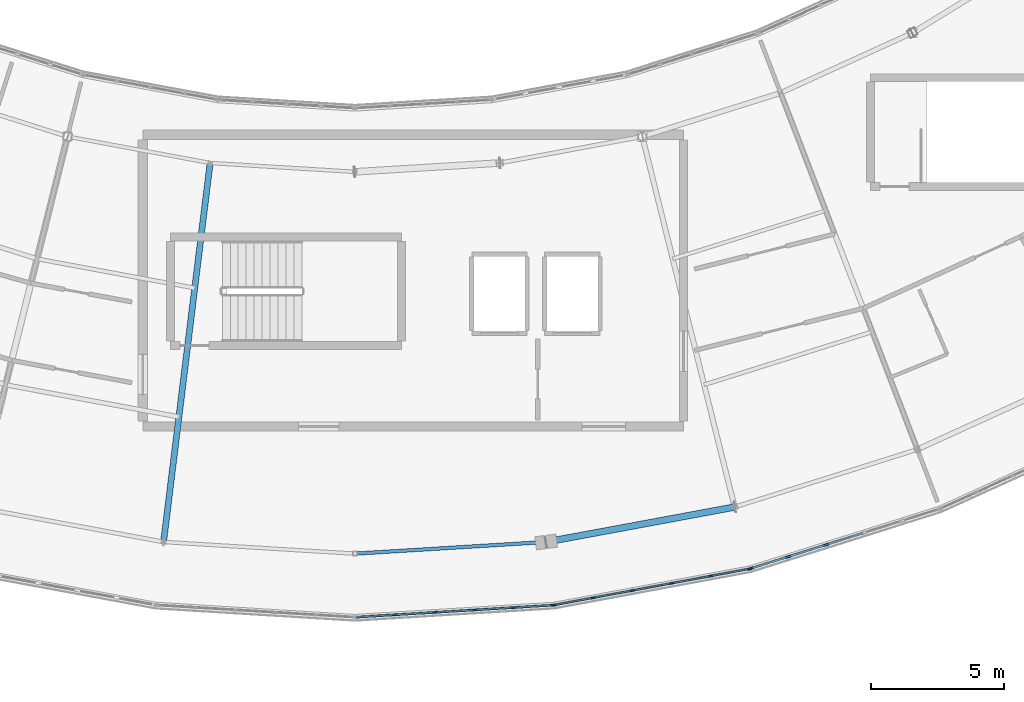
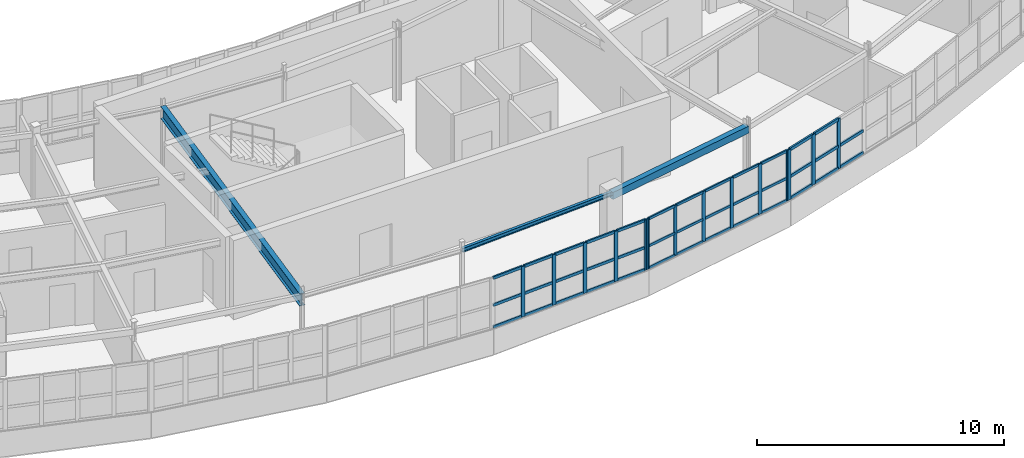
# One storey, part 24 of 79: 52 members, 3 beams, 3 elements without a shape of their own.
"""IFC4 building model written with IfcOpenShell, lengths in metres."""

from ifc_helpers import new_model, si_unit, direction, frame, origin, origin_2d, place, context, subcontext, project, spatial, rectangle, hollow_rectangle, i_section, extrude, material, layer, layer_set, material_profile, profile_set, type_object, element, aggregate, save


model = new_model("IFC4")

# Units and contexts
model_context = context("Model", 3, precision=1e-05, world=origin(), true_north=direction((0.0, 1.0)))
body_context = subcontext(model_context, "Body", "Model", "MODEL_VIEW")
ifc_project = project(units=[si_unit("LENGTHUNIT", "METRE"), si_unit("AREAUNIT", "SQUARE_METRE"), si_unit("VOLUMEUNIT", "CUBIC_METRE"), si_unit("PLANEANGLEUNIT", "RADIAN"), si_unit("MASSUNIT", "GRAM", prefix="KILO")], contexts=[model_context])

# Site, building, storey
site_placement = place(None, origin())
site = spatial("IfcSite", under=ifc_project, at=site_placement, CompositionType="ELEMENT")
building_placement = place(site_placement, origin())
building = spatial("IfcBuilding", under=site, at=building_placement, Name="Tarnwether General Hospital", CompositionType="ELEMENT")
storey_placement = place(building_placement, frame((0.0, 0.0, 18.300048828125)))
storey = spatial("IfcBuildingStorey", under=building, at=storey_placement, Name="L04", CompositionType="ELEMENT", Elevation=18.300048828125)

# Beams
ifc_material_1 = material(Name="Steel Grade 350 (350 MPa)", Category="steel")
ifc_material_profile_1 = material_profile(ifc_material_1, i_section(OverallWidth=0.22802734375, OverallDepth=0.60205078125, WebThickness=0.010498046875, FlangeThickness=0.014892578125, at=origin_2d()), Name="610UB101")
ifc_profile_set_1 = profile_set([ifc_material_profile_1], Name="Steel Grade 350 (350 MPa)")
beam_type_1 = type_object("IfcBeamType", Name="BM-G05", PredefinedType="BEAM", material=ifc_profile_set_1)
beam_1_placement = place(storey_placement, frame((84.784912109375, 4.240966796875, 3.259033203125), z_axis=(0.121881045946, 0.99254471468, 0.0), x_axis=(-0.99254471468, 0.121881045946, 0.0)))
element("IfcBeam", 1, at=beam_1_placement, inside=storey, type_object=beam_type_1, Name="Curved Ward SE Radial Girder BMG-L04-8478_424-8654_1853-2134", PredefinedType="BEAM", context=body_context, shape_type="SweptSolid", body=[
    extrude(i_section(OverallWidth=0.22802734375, OverallDepth=0.60205078125, WebThickness=0.010498046875, FlangeThickness=0.014892578125, at=origin_2d()), origin(), (0.0, 0.0, 1.0), 14.400390625),
])
ifc_material_2 = material(Name="Steel Grade 350 (350 MPa)", Category="steel")
ifc_material_profile_2 = material_profile(ifc_material_2, i_section(OverallWidth=0.133056640625, OverallDepth=0.201904296875, WebThickness=0.0048828125, FlangeThickness=0.007080078125, at=origin_2d()), Name="200UB22.3")
ifc_profile_set_2 = profile_set([ifc_material_profile_2], Name="Steel Grade 350 (350 MPa)")
beam_type_2 = type_object("IfcBeamType", Name="BM-SP6", PredefinedType="SPANDREL", material=ifc_profile_set_2)
beam_2_placement = place(storey_placement, frame((92.0, 3.800048828125, 3.458984375), z_axis=(0.998137964221, 0.060996757127, 0.0), x_axis=(-0.060996757127, 0.998137964221, 0.0)))
element("IfcBeam", 2, at=beam_2_placement, inside=storey, type_object=beam_type_2, Name="Curved Ward SE Outer Spandrel BMG-L04-9200_380-9922_424-2152", PredefinedType="SPANDREL", context=body_context, shape_type="SweptSolid", body=[
    extrude(i_section(OverallWidth=0.133056640625, OverallDepth=0.201904296875, WebThickness=0.0048828125, FlangeThickness=0.007080078125, at=origin_2d()), origin(), (0.0, 0.0, 1.0), 7.228515625),
])
ifc_material_3 = material(Name="Steel Grade C350L0 (350 MPa)", Category="steel")
ifc_material_profile_3 = material_profile(ifc_material_3, hollow_rectangle(XDim=0.25, YDim=0.35009765625, WallThickness=0.012451171875, at=origin_2d()), Name="RHS350x250x12.5")
ifc_profile_set_3 = profile_set([ifc_material_profile_3], Name="Steel Grade C350L0 (350 MPa)")
beam_type_3 = type_object("IfcBeamType", Name="BM-SP7", PredefinedType="SPANDREL", material=ifc_profile_set_3)
beam_3_placement = place(storey_placement, frame((99.215087890625, 4.240966796875, 3.385009765625), z_axis=(0.98325623662, 0.182228354399, 0.0), x_axis=(-0.182228354399, 0.98325623662, 0.0)))
element("IfcBeam", 3, at=beam_3_placement, inside=storey, type_object=beam_type_3, Name="Curved Ward SE Outer Spandrel BMG-L04-9922_424-10632_556-2154", PredefinedType="SPANDREL", context=body_context, shape_type="SweptSolid", body=[
    extrude(hollow_rectangle(XDim=0.25, YDim=0.35009765625, WallThickness=0.012451171875, at=origin_2d()), origin(), (0.0, 0.0, 1.0), 7.22802734375),
])

# Curtain wall, members
ifc_material_4 = material(Name="Anodised aluminium", Category="aluminium")
ifc_layer = layer(ifc_material_4, 0.159912109375)
ifc_layer_set = layer_set([ifc_layer], Name="Anodised aluminium")
curtain_wall_type = type_object("IfcCurtainWallType", Name="CW-09", PredefinedType="NOTDEFINED", material=ifc_layer_set)
curtain_wall_1_placement = place(storey_placement, origin())
curtain_wall_1 = element("IfcCurtainWall", 4, at=curtain_wall_1_placement, inside=storey, type_object=curtain_wall_type, Name="Curtain Wall CWG-L04-995_19-0191", PredefinedType="NOTDEFINED")
ifc_material_5 = material(Name="Anodised aluminium", Category="aluminium")
ifc_material_profile_4 = material_profile(ifc_material_5, rectangle(XDim=0.070068359375, YDim=0.179931640625, at=origin_2d()), Name="ALU-MUL-70x180")
ifc_profile_set_4 = profile_set([ifc_material_profile_4], Name="Anodised aluminium")
member_type_1 = type_object("IfcMemberType", Name="CW-ML2", PredefinedType="MULLION", material=ifc_profile_set_4)
member_1_placement = place(storey_placement, frame((99.47216796875, 1.85693359375, 1.050048828125), z_axis=(0.0, 0.0, 1.0), x_axis=(0.061028962567, -0.998135995608, 0.0)))
member_1 = element("IfcMember", 5, at=member_1_placement, type_object=member_type_1, Name="CW-09 mullion 1", PredefinedType="MULLION", context=body_context, shape_type="SweptSolid", body=[
    extrude(rectangle(XDim=0.070068359375, YDim=0.179931640625, at=origin_2d()), origin(), (0.0, 0.0, 1.0), 2.489990234375),
])
member_2_placement = place(storey_placement, frame((98.005615234375, 1.76708984375, 1.050048828125), z_axis=(0.0, 0.0, 1.0), x_axis=(0.061028962567, -0.998135995608, 0.0)))
member_2 = element("IfcMember", 6, at=member_2_placement, type_object=member_type_1, Name="CW-09 mullion 2", PredefinedType="MULLION", context=body_context, shape_type="SweptSolid", body=[
    extrude(rectangle(XDim=0.070068359375, YDim=0.179931640625, at=origin_2d()), origin(), (0.0, 0.0, 1.0), 2.489990234375),
])
member_3_placement = place(storey_placement, frame((96.504150390625, 1.67529296875, 1.050048828125), z_axis=(0.0, 0.0, 1.0), x_axis=(0.061028962567, -0.998135995608, 0.0)))
member_3 = element("IfcMember", 7, at=member_3_placement, type_object=member_type_1, Name="CW-09 mullion 3", PredefinedType="MULLION", context=body_context, shape_type="SweptSolid", body=[
    extrude(rectangle(XDim=0.070068359375, YDim=0.179931640625, at=origin_2d()), origin(), (0.0, 0.0, 1.0), 2.489990234375),
])
member_4_placement = place(storey_placement, frame((95.002685546875, 1.58349609375, 1.050048828125), z_axis=(0.0, 0.0, 1.0), x_axis=(0.061028962567, -0.998135995608, 0.0)))
member_4 = element("IfcMember", 8, at=member_4_placement, type_object=member_type_1, Name="CW-09 mullion 4", PredefinedType="MULLION", context=body_context, shape_type="SweptSolid", body=[
    extrude(rectangle(XDim=0.070068359375, YDim=0.179931640625, at=origin_2d()), origin(), (0.0, 0.0, 1.0), 2.489990234375),
])
member_5_placement = place(storey_placement, frame((93.50146484375, 1.49169921875, 1.050048828125), z_axis=(0.0, 0.0, 1.0), x_axis=(0.061028962567, -0.998135995608, 0.0)))
member_5 = element("IfcMember", 9, at=member_5_placement, type_object=member_type_1, Name="CW-09 mullion 5", PredefinedType="MULLION", context=body_context, shape_type="SweptSolid", body=[
    extrude(rectangle(XDim=0.070068359375, YDim=0.179931640625, at=origin_2d()), origin(), (0.0, 0.0, 1.0), 2.489990234375),
])

curtain_wall_2_placement = place(storey_placement, origin())
curtain_wall_2 = element("IfcCurtainWall", 10, at=curtain_wall_2_placement, inside=storey, type_object=curtain_wall_type, Name="Curtain Wall CWG-L04-1069_32-0192", PredefinedType="NOTDEFINED")
ifc_material_6 = material(Name="Anodised aluminium", Category="aluminium")
ifc_material_profile_5 = material_profile(ifc_material_6, rectangle(XDim=0.06494140625, YDim=0.169921875, at=origin_2d()), Name="ALU-MUL-65x170")
ifc_profile_set_5 = profile_set([ifc_material_profile_5], Name="Anodised aluminium")
member_type_2 = type_object("IfcMemberType", Name="CW-ML3", PredefinedType="MULLION", material=ifc_profile_set_5)
member_6_placement = place(storey_placement, frame((106.8701171875, 3.22412109375, 1.050048828125), z_axis=(0.0, 0.0, 1.0), x_axis=(0.182289226614, -0.983244953132, 0.0)))
member_6 = element("IfcMember", 11, at=member_6_placement, type_object=member_type_2, Name="CW-09 mullion 1", PredefinedType="MULLION", context=body_context, shape_type="SweptSolid", body=[
    extrude(rectangle(XDim=0.06494140625, YDim=0.169921875, at=origin_2d()), origin(), (0.0, 0.0, 1.0), 2.489990234375),
])
member_7_placement = place(storey_placement, frame((105.423095703125, 2.955810546875, 1.050048828125), z_axis=(0.0, 0.0, 1.0), x_axis=(0.182289226614, -0.983244953132, 0.0)))
member_7 = element("IfcMember", 12, at=member_7_placement, type_object=member_type_2, Name="CW-09 mullion 2", PredefinedType="MULLION", context=body_context, shape_type="SweptSolid", body=[
    extrude(rectangle(XDim=0.06494140625, YDim=0.169921875, at=origin_2d()), origin(), (0.0, 0.0, 1.0), 2.489990234375),
])
member_8_placement = place(storey_placement, frame((103.944091796875, 2.681640625, 1.050048828125), z_axis=(0.0, 0.0, 1.0), x_axis=(0.182289226614, -0.983244953132, 0.0)))
member_8 = element("IfcMember", 13, at=member_8_placement, type_object=member_type_2, Name="CW-09 mullion 3", PredefinedType="MULLION", context=body_context, shape_type="SweptSolid", body=[
    extrude(rectangle(XDim=0.06494140625, YDim=0.169921875, at=origin_2d()), origin(), (0.0, 0.0, 1.0), 2.489990234375),
])
member_9_placement = place(storey_placement, frame((102.465087890625, 2.407470703125, 1.050048828125), z_axis=(0.0, 0.0, 1.0), x_axis=(0.182289226614, -0.983244953132, 0.0)))
member_9 = element("IfcMember", 14, at=member_9_placement, type_object=member_type_2, Name="CW-09 mullion 4", PredefinedType="MULLION", context=body_context, shape_type="SweptSolid", body=[
    extrude(rectangle(XDim=0.06494140625, YDim=0.169921875, at=origin_2d()), origin(), (0.0, 0.0, 1.0), 2.489990234375),
])
member_10_placement = place(storey_placement, frame((100.986083984375, 2.13330078125, 1.050048828125), z_axis=(0.0, 0.0, 1.0), x_axis=(0.182289226614, -0.983244953132, 0.0)))
member_10 = element("IfcMember", 15, at=member_10_placement, type_object=member_type_2, Name="CW-09 mullion 5", PredefinedType="MULLION", context=body_context, shape_type="SweptSolid", body=[
    extrude(rectangle(XDim=0.06494140625, YDim=0.169921875, at=origin_2d()), origin(), (0.0, 0.0, 1.0), 2.489990234375),
])
member_11_placement = place(storey_placement, frame((99.5390625, 1.864990234375, 1.050048828125), z_axis=(0.0, 0.0, 1.0), x_axis=(0.182289226614, -0.983244953132, 0.0)))
member_11 = element("IfcMember", 16, at=member_11_placement, type_object=member_type_2, Name="CW-09 mullion 6", PredefinedType="MULLION", context=body_context, shape_type="SweptSolid", body=[
    extrude(rectangle(XDim=0.06494140625, YDim=0.169921875, at=origin_2d()), origin(), (0.0, 0.0, 1.0), 2.489990234375),
])

curtain_wall_3_placement = place(storey_placement, origin())
curtain_wall_3 = element("IfcCurtainWall", 17, at=curtain_wall_3_placement, inside=storey, type_object=curtain_wall_type, Name="Curtain Wall CWG-L04-1141_55-0193", PredefinedType="NOTDEFINED")
ifc_material_7 = material(Name="Anodised aluminium", Category="aluminium")
ifc_material_profile_6 = material_profile(ifc_material_7, rectangle(XDim=0.080078125, YDim=0.199951171875, at=origin_2d()), Name="ALU-MUL-80x200")
ifc_profile_set_6 = profile_set([ifc_material_profile_6], Name="Anodised aluminium")
member_type_3 = type_object("IfcMemberType", Name="CW-ML4", PredefinedType="MULLION", material=ifc_profile_set_6)
member_12_placement = place(storey_placement, frame((109.771240234375, 4.134521484375, 1.050048828125), z_axis=(0.0, 0.0, 1.0), x_axis=(0.300628613299, -0.953741284032, 0.0)))
member_12 = element("IfcMember", 18, at=member_12_placement, type_object=member_type_3, Name="CW-09 mullion 4", PredefinedType="MULLION", context=body_context, shape_type="SweptSolid", body=[
    extrude(rectangle(XDim=0.080078125, YDim=0.199951171875, at=origin_2d()), origin(), (0.0, 0.0, 1.0), 2.489990234375),
])
member_13_placement = place(storey_placement, frame((108.336669921875, 3.68212890625, 1.050048828125), z_axis=(0.0, 0.0, 1.0), x_axis=(0.300628613299, -0.953741284032, 0.0)))
member_13 = element("IfcMember", 19, at=member_13_placement, type_object=member_type_3, Name="CW-09 mullion 5", PredefinedType="MULLION", context=body_context, shape_type="SweptSolid", body=[
    extrude(rectangle(XDim=0.080078125, YDim=0.199951171875, at=origin_2d()), origin(), (0.0, 0.0, 1.0), 2.489990234375),
])
member_14_placement = place(storey_placement, frame((106.940185546875, 3.241943359375, 1.050048828125), z_axis=(0.0, 0.0, 1.0), x_axis=(0.300628613299, -0.953741284032, 0.0)))
member_14 = element("IfcMember", 20, at=member_14_placement, type_object=member_type_3, Name="CW-09 mullion 6", PredefinedType="MULLION", context=body_context, shape_type="SweptSolid", body=[
    extrude(rectangle(XDim=0.080078125, YDim=0.199951171875, at=origin_2d()), origin(), (0.0, 0.0, 1.0), 2.489990234375),
])

# Member
ifc_material_8 = material(Name="Anodised aluminium", Category="aluminium")
ifc_material_profile_7 = material_profile(ifc_material_8, rectangle(XDim=0.070068359375, YDim=0.139892578125, at=origin_2d()), Name="ALU-TRN-70x140")
ifc_profile_set_7 = profile_set([ifc_material_profile_7], Name="Anodised aluminium")
member_type_4 = type_object("IfcMemberType", Name="CW-TR2", PredefinedType="USERDEFINED", material=ifc_profile_set_7)
member_15_placement = place(storey_placement, frame((99.43701171875, 1.854736328125, 1.0849609375), z_axis=(-0.998133205119, -0.061074584229, 0.0), x_axis=(0.061074584229, -0.998133205119, 0.0)))
member_15 = element("IfcMember", 21, at=member_15_placement, type_object=member_type_4, Name="CW-09 transom 1.1", ObjectType="TRANSOM", PredefinedType="USERDEFINED", context=body_context, shape_type="SweptSolid", body=[
    extrude(rectangle(XDim=0.070068359375, YDim=0.139892578125, at=origin_2d()), origin(), (0.0, 0.0, 1.0), 1.399169921875),
])

member_16_placement = place(storey_placement, frame((99.43701171875, 1.854736328125, 2.17041015625), z_axis=(-0.998133205119, -0.061074584229, 0.0), x_axis=(0.061074584229, -0.998133205119, 0.0)))
member_16 = element("IfcMember", 22, at=member_16_placement, type_object=member_type_4, Name="CW-09 transom 1.2", ObjectType="TRANSOM", PredefinedType="USERDEFINED", context=body_context, shape_type="SweptSolid", body=[
    extrude(rectangle(XDim=0.070068359375, YDim=0.139892578125, at=origin_2d()), origin(), (0.0, 0.0, 1.0), 1.399169921875),
])

member_17_placement = place(storey_placement, frame((99.43701171875, 1.854736328125, 3.5048828125), z_axis=(-0.998133205119, -0.061074584229, 0.0), x_axis=(0.061074584229, -0.998133205119, 0.0)))
member_17 = element("IfcMember", 23, at=member_17_placement, type_object=member_type_4, Name="CW-09 transom 1.3", ObjectType="TRANSOM", PredefinedType="USERDEFINED", context=body_context, shape_type="SweptSolid", body=[
    extrude(rectangle(XDim=0.070068359375, YDim=0.139892578125, at=origin_2d()), origin(), (0.0, 0.0, 1.0), 1.399169921875),
])

member_18_placement = place(storey_placement, frame((97.970703125, 1.76513671875, 1.0849609375), z_axis=(-0.998131245443, -0.061106602509, 0.0), x_axis=(0.061106602509, -0.998131245443, 0.0)))
member_18 = element("IfcMember", 24, at=member_18_placement, type_object=member_type_4, Name="CW-09 transom 2.1", ObjectType="TRANSOM", PredefinedType="USERDEFINED", context=body_context, shape_type="SweptSolid", body=[
    extrude(rectangle(XDim=0.070068359375, YDim=0.139892578125, at=origin_2d()), origin(), (0.0, 0.0, 1.0), 1.434326171875),
])

member_19_placement = place(storey_placement, frame((97.970703125, 1.76513671875, 2.17041015625), z_axis=(-0.998131245443, -0.061106602509, 0.0), x_axis=(0.061106602509, -0.998131245443, 0.0)))
member_19 = element("IfcMember", 25, at=member_19_placement, type_object=member_type_4, Name="CW-09 transom 2.2", ObjectType="TRANSOM", PredefinedType="USERDEFINED", context=body_context, shape_type="SweptSolid", body=[
    extrude(rectangle(XDim=0.070068359375, YDim=0.139892578125, at=origin_2d()), origin(), (0.0, 0.0, 1.0), 1.434326171875),
])

member_20_placement = place(storey_placement, frame((97.970703125, 1.76513671875, 3.5048828125), z_axis=(-0.998131245443, -0.061106602509, 0.0), x_axis=(0.061106602509, -0.998131245443, 0.0)))
member_20 = element("IfcMember", 26, at=member_20_placement, type_object=member_type_4, Name="CW-09 transom 2.3", ObjectType="TRANSOM", PredefinedType="USERDEFINED", context=body_context, shape_type="SweptSolid", body=[
    extrude(rectangle(XDim=0.070068359375, YDim=0.139892578125, at=origin_2d()), origin(), (0.0, 0.0, 1.0), 1.434326171875),
])

member_21_placement = place(storey_placement, frame((96.46923828125, 1.67333984375, 1.0849609375), z_axis=(-0.998130609701, -0.061116985994, 0.0), x_axis=(0.061116985994, -0.998130609701, 0.0)))
member_21 = element("IfcMember", 27, at=member_21_placement, type_object=member_type_4, Name="CW-09 transom 3.1", ObjectType="TRANSOM", PredefinedType="USERDEFINED", context=body_context, shape_type="SweptSolid", body=[
    extrude(rectangle(XDim=0.070068359375, YDim=0.139892578125, at=origin_2d()), origin(), (0.0, 0.0, 1.0), 1.43408203125),
])

member_22_placement = place(storey_placement, frame((96.46923828125, 1.67333984375, 2.17041015625), z_axis=(-0.998130609701, -0.061116985994, 0.0), x_axis=(0.061116985994, -0.998130609701, 0.0)))
member_22 = element("IfcMember", 28, at=member_22_placement, type_object=member_type_4, Name="CW-09 transom 3.2", ObjectType="TRANSOM", PredefinedType="USERDEFINED", context=body_context, shape_type="SweptSolid", body=[
    extrude(rectangle(XDim=0.070068359375, YDim=0.139892578125, at=origin_2d()), origin(), (0.0, 0.0, 1.0), 1.43408203125),
])

member_23_placement = place(storey_placement, frame((96.46923828125, 1.67333984375, 3.5048828125), z_axis=(-0.998130609701, -0.061116985994, 0.0), x_axis=(0.061116985994, -0.998130609701, 0.0)))
member_23 = element("IfcMember", 29, at=member_23_placement, type_object=member_type_4, Name="CW-09 transom 3.3", ObjectType="TRANSOM", PredefinedType="USERDEFINED", context=body_context, shape_type="SweptSolid", body=[
    extrude(rectangle(XDim=0.070068359375, YDim=0.139892578125, at=origin_2d()), origin(), (0.0, 0.0, 1.0), 1.43408203125),
])

member_24_placement = place(storey_placement, frame((94.9677734375, 1.58154296875, 1.0849609375), z_axis=(-0.998130609701, -0.061116985994, 0.0), x_axis=(0.061116985994, -0.998130609701, 0.0)))
member_24 = element("IfcMember", 30, at=member_24_placement, type_object=member_type_4, Name="CW-09 transom 4.1", ObjectType="TRANSOM", PredefinedType="USERDEFINED", context=body_context, shape_type="SweptSolid", body=[
    extrude(rectangle(XDim=0.070068359375, YDim=0.139892578125, at=origin_2d()), origin(), (0.0, 0.0, 1.0), 1.43408203125),
])

member_25_placement = place(storey_placement, frame((94.9677734375, 1.58154296875, 2.17041015625), z_axis=(-0.998130609701, -0.061116985994, 0.0), x_axis=(0.061116985994, -0.998130609701, 0.0)))
member_25 = element("IfcMember", 31, at=member_25_placement, type_object=member_type_4, Name="CW-09 transom 4.2", ObjectType="TRANSOM", PredefinedType="USERDEFINED", context=body_context, shape_type="SweptSolid", body=[
    extrude(rectangle(XDim=0.070068359375, YDim=0.139892578125, at=origin_2d()), origin(), (0.0, 0.0, 1.0), 1.43408203125),
])

member_26_placement = place(storey_placement, frame((94.9677734375, 1.58154296875, 3.5048828125), z_axis=(-0.998130609701, -0.061116985994, 0.0), x_axis=(0.061116985994, -0.998130609701, 0.0)))
member_26 = element("IfcMember", 32, at=member_26_placement, type_object=member_type_4, Name="CW-09 transom 4.3", ObjectType="TRANSOM", PredefinedType="USERDEFINED", context=body_context, shape_type="SweptSolid", body=[
    extrude(rectangle(XDim=0.070068359375, YDim=0.139892578125, at=origin_2d()), origin(), (0.0, 0.0, 1.0), 1.43408203125),
])

member_27_placement = place(storey_placement, frame((93.466552734375, 1.48974609375, 1.0849609375), z_axis=(-0.998133855848, -0.061063948531, 0.0), x_axis=(0.061063948531, -0.998133855848, 0.0)))
member_27 = element("IfcMember", 33, at=member_27_placement, type_object=member_type_4, Name="CW-09 transom 5.1", ObjectType="TRANSOM", PredefinedType="USERDEFINED", context=body_context, shape_type="SweptSolid", body=[
    extrude(rectangle(XDim=0.070068359375, YDim=0.139892578125, at=origin_2d()), origin(), (0.0, 0.0, 1.0), 1.3994140625),
])

member_28_placement = place(storey_placement, frame((93.466552734375, 1.48974609375, 2.17041015625), z_axis=(-0.998133855848, -0.061063948531, 0.0), x_axis=(0.061063948531, -0.998133855848, 0.0)))
member_28 = element("IfcMember", 34, at=member_28_placement, type_object=member_type_4, Name="CW-09 transom 5.2", ObjectType="TRANSOM", PredefinedType="USERDEFINED", context=body_context, shape_type="SweptSolid", body=[
    extrude(rectangle(XDim=0.070068359375, YDim=0.139892578125, at=origin_2d()), origin(), (0.0, 0.0, 1.0), 1.3994140625),
])

member_29_placement = place(storey_placement, frame((93.466552734375, 1.48974609375, 3.5048828125), z_axis=(-0.998133855848, -0.061063948531, 0.0), x_axis=(0.061063948531, -0.998133855848, 0.0)))
member_29 = element("IfcMember", 35, at=member_29_placement, type_object=member_type_4, Name="CW-09 transom 5.3", ObjectType="TRANSOM", PredefinedType="USERDEFINED", context=body_context, shape_type="SweptSolid", body=[
    extrude(rectangle(XDim=0.070068359375, YDim=0.139892578125, at=origin_2d()), origin(), (0.0, 0.0, 1.0), 1.3994140625),
])

aggregate(curtain_wall_1, [member_1, member_2, member_3, member_4, member_5, member_15, member_16, member_17, member_18, member_19, member_20, member_21, member_22, member_23, member_24, member_25, member_26, member_27, member_28, member_29])

ifc_material_9 = material(Name="Anodised aluminium", Category="aluminium")
ifc_material_profile_8 = material_profile(ifc_material_9, rectangle(XDim=0.06494140625, YDim=0.1298828125, at=origin_2d()), Name="ALU-TRN-65x130")
ifc_profile_set_8 = profile_set([ifc_material_profile_8], Name="Anodised aluminium")
member_type_5 = type_object("IfcMemberType", Name="CW-TR3", PredefinedType="USERDEFINED", material=ifc_profile_set_8)
member_30_placement = place(storey_placement, frame((106.838134765625, 3.21826171875, 1.08251953125), z_axis=(-0.983227876947, -0.182381309331, 0.0), x_axis=(0.182381309331, -0.983227876947, 0.0)))
member_30 = element("IfcMember", 36, at=member_30_placement, type_object=member_type_5, Name="CW-09 transom 1.1", ObjectType="TRANSOM", PredefinedType="USERDEFINED", context=body_context, shape_type="SweptSolid", body=[
    extrude(rectangle(XDim=0.06494140625, YDim=0.1298828125, at=origin_2d()), origin(), (0.0, 0.0, 1.0), 1.406982421875),
])

member_31_placement = place(storey_placement, frame((106.838134765625, 3.21826171875, 2.17041015625), z_axis=(-0.983227876947, -0.182381309331, 0.0), x_axis=(0.182381309331, -0.983227876947, 0.0)))
member_31 = element("IfcMember", 37, at=member_31_placement, type_object=member_type_5, Name="CW-09 transom 1.2", ObjectType="TRANSOM", PredefinedType="USERDEFINED", context=body_context, shape_type="SweptSolid", body=[
    extrude(rectangle(XDim=0.06494140625, YDim=0.1298828125, at=origin_2d()), origin(), (0.0, 0.0, 1.0), 1.406982421875),
])

member_32_placement = place(storey_placement, frame((106.838134765625, 3.21826171875, 3.507568359375), z_axis=(-0.983227876947, -0.182381309331, 0.0), x_axis=(0.182381309331, -0.983227876947, 0.0)))
member_32 = element("IfcMember", 38, at=member_32_placement, type_object=member_type_5, Name="CW-09 transom 1.3", ObjectType="TRANSOM", PredefinedType="USERDEFINED", context=body_context, shape_type="SweptSolid", body=[
    extrude(rectangle(XDim=0.06494140625, YDim=0.1298828125, at=origin_2d()), origin(), (0.0, 0.0, 1.0), 1.406982421875),
])

member_33_placement = place(storey_placement, frame((105.39111328125, 2.949951171875, 1.08251953125), z_axis=(-0.983231345079, -0.182362611449, 0.0), x_axis=(0.182362611449, -0.983231345079, 0.0)))
member_33 = element("IfcMember", 39, at=member_33_placement, type_object=member_type_5, Name="CW-09 transom 2.1", ObjectType="TRANSOM", PredefinedType="USERDEFINED", context=body_context, shape_type="SweptSolid", body=[
    extrude(rectangle(XDim=0.06494140625, YDim=0.1298828125, at=origin_2d()), origin(), (0.0, 0.0, 1.0), 1.439208984375),
])

member_34_placement = place(storey_placement, frame((105.39111328125, 2.949951171875, 2.17041015625), z_axis=(-0.983231345079, -0.182362611449, 0.0), x_axis=(0.182362611449, -0.983231345079, 0.0)))
member_34 = element("IfcMember", 40, at=member_34_placement, type_object=member_type_5, Name="CW-09 transom 2.2", ObjectType="TRANSOM", PredefinedType="USERDEFINED", context=body_context, shape_type="SweptSolid", body=[
    extrude(rectangle(XDim=0.06494140625, YDim=0.1298828125, at=origin_2d()), origin(), (0.0, 0.0, 1.0), 1.439208984375),
])

member_35_placement = place(storey_placement, frame((105.39111328125, 2.949951171875, 3.507568359375), z_axis=(-0.983231345079, -0.182362611449, 0.0), x_axis=(0.182362611449, -0.983231345079, 0.0)))
member_35 = element("IfcMember", 41, at=member_35_placement, type_object=member_type_5, Name="CW-09 transom 2.3", ObjectType="TRANSOM", PredefinedType="USERDEFINED", context=body_context, shape_type="SweptSolid", body=[
    extrude(rectangle(XDim=0.06494140625, YDim=0.1298828125, at=origin_2d()), origin(), (0.0, 0.0, 1.0), 1.439208984375),
])

member_36_placement = place(storey_placement, frame((103.912109375, 2.67578125, 1.08251953125), z_axis=(-0.983231345079, -0.182362611449, 0.0), x_axis=(0.182362611449, -0.983231345079, 0.0)))
member_36 = element("IfcMember", 42, at=member_36_placement, type_object=member_type_5, Name="CW-09 transom 3.1", ObjectType="TRANSOM", PredefinedType="USERDEFINED", context=body_context, shape_type="SweptSolid", body=[
    extrude(rectangle(XDim=0.06494140625, YDim=0.1298828125, at=origin_2d()), origin(), (0.0, 0.0, 1.0), 1.439208984375),
])

member_37_placement = place(storey_placement, frame((103.912109375, 2.67578125, 2.17041015625), z_axis=(-0.983231345079, -0.182362611449, 0.0), x_axis=(0.182362611449, -0.983231345079, 0.0)))
member_37 = element("IfcMember", 43, at=member_37_placement, type_object=member_type_5, Name="CW-09 transom 3.2", ObjectType="TRANSOM", PredefinedType="USERDEFINED", context=body_context, shape_type="SweptSolid", body=[
    extrude(rectangle(XDim=0.06494140625, YDim=0.1298828125, at=origin_2d()), origin(), (0.0, 0.0, 1.0), 1.439208984375),
])

member_38_placement = place(storey_placement, frame((103.912109375, 2.67578125, 3.507568359375), z_axis=(-0.983231345079, -0.182362611449, 0.0), x_axis=(0.182362611449, -0.983231345079, 0.0)))
member_38 = element("IfcMember", 44, at=member_38_placement, type_object=member_type_5, Name="CW-09 transom 3.3", ObjectType="TRANSOM", PredefinedType="USERDEFINED", context=body_context, shape_type="SweptSolid", body=[
    extrude(rectangle(XDim=0.06494140625, YDim=0.1298828125, at=origin_2d()), origin(), (0.0, 0.0, 1.0), 1.439208984375),
])

member_39_placement = place(storey_placement, frame((102.43310546875, 2.4013671875, 1.08251953125), z_axis=(-0.983261749515, -0.182198605759, 0.0), x_axis=(0.182198605759, -0.983261749515, 0.0)))
member_39 = element("IfcMember", 45, at=member_39_placement, type_object=member_type_5, Name="CW-09 transom 4.1", ObjectType="TRANSOM", PredefinedType="USERDEFINED", context=body_context, shape_type="SweptSolid", body=[
    extrude(rectangle(XDim=0.06494140625, YDim=0.1298828125, at=origin_2d()), origin(), (0.0, 0.0, 1.0), 1.439208984375),
])

member_40_placement = place(storey_placement, frame((102.43310546875, 2.4013671875, 2.17041015625), z_axis=(-0.983261749515, -0.182198605759, 0.0), x_axis=(0.182198605759, -0.983261749515, 0.0)))
member_40 = element("IfcMember", 46, at=member_40_placement, type_object=member_type_5, Name="CW-09 transom 4.2", ObjectType="TRANSOM", PredefinedType="USERDEFINED", context=body_context, shape_type="SweptSolid", body=[
    extrude(rectangle(XDim=0.06494140625, YDim=0.1298828125, at=origin_2d()), origin(), (0.0, 0.0, 1.0), 1.439208984375),
])

member_41_placement = place(storey_placement, frame((102.43310546875, 2.4013671875, 3.507568359375), z_axis=(-0.983261749515, -0.182198605759, 0.0), x_axis=(0.182198605759, -0.983261749515, 0.0)))
member_41 = element("IfcMember", 47, at=member_41_placement, type_object=member_type_5, Name="CW-09 transom 4.3", ObjectType="TRANSOM", PredefinedType="USERDEFINED", context=body_context, shape_type="SweptSolid", body=[
    extrude(rectangle(XDim=0.06494140625, YDim=0.1298828125, at=origin_2d()), origin(), (0.0, 0.0, 1.0), 1.439208984375),
])

member_42_placement = place(storey_placement, frame((100.9541015625, 2.127197265625, 1.08251953125), z_axis=(-0.983258981652, -0.182213542311, 0.0), x_axis=(0.182213542311, -0.983258981652, 0.0)))
member_42 = element("IfcMember", 48, at=member_42_placement, type_object=member_type_5, Name="CW-09 transom 5.1", ObjectType="TRANSOM", PredefinedType="USERDEFINED", context=body_context, shape_type="SweptSolid", body=[
    extrude(rectangle(XDim=0.06494140625, YDim=0.1298828125, at=origin_2d()), origin(), (0.0, 0.0, 1.0), 1.40673828125),
])

member_43_placement = place(storey_placement, frame((100.9541015625, 2.127197265625, 2.17041015625), z_axis=(-0.983258981652, -0.182213542311, 0.0), x_axis=(0.182213542311, -0.983258981652, 0.0)))
member_43 = element("IfcMember", 49, at=member_43_placement, type_object=member_type_5, Name="CW-09 transom 5.2", ObjectType="TRANSOM", PredefinedType="USERDEFINED", context=body_context, shape_type="SweptSolid", body=[
    extrude(rectangle(XDim=0.06494140625, YDim=0.1298828125, at=origin_2d()), origin(), (0.0, 0.0, 1.0), 1.40673828125),
])

member_44_placement = place(storey_placement, frame((100.9541015625, 2.127197265625, 3.507568359375), z_axis=(-0.983258981652, -0.182213542311, 0.0), x_axis=(0.182213542311, -0.983258981652, 0.0)))
member_44 = element("IfcMember", 50, at=member_44_placement, type_object=member_type_5, Name="CW-09 transom 5.3", ObjectType="TRANSOM", PredefinedType="USERDEFINED", context=body_context, shape_type="SweptSolid", body=[
    extrude(rectangle(XDim=0.06494140625, YDim=0.1298828125, at=origin_2d()), origin(), (0.0, 0.0, 1.0), 1.40673828125),
])

aggregate(curtain_wall_2, [member_6, member_7, member_8, member_9, member_10, member_11, member_30, member_31, member_32, member_33, member_34, member_35, member_36, member_37, member_38, member_39, member_40, member_41, member_42, member_43, member_44])

ifc_material_10 = material(Name="Anodised aluminium", Category="aluminium")
ifc_material_profile_9 = material_profile(ifc_material_10, rectangle(XDim=0.080078125, YDim=0.14990234375, at=origin_2d()), Name="ALU-TRN-80x150")
ifc_profile_set_9 = profile_set([ifc_material_profile_9], Name="Anodised aluminium")
member_type_6 = type_object("IfcMemberType", Name="CW-TR4", PredefinedType="USERDEFINED", material=ifc_profile_set_9)
member_45_placement = place(storey_placement, frame((111.167724609375, 4.574462890625, 1.08984375), z_axis=(-0.953781942364, -0.30049959471, 0.0), x_axis=(0.30049959471, -0.953781942364, 0.0)))
member_45 = element("IfcMember", 51, at=member_45_placement, type_object=member_type_6, Name="CW-09 transom 3.1", ObjectType="TRANSOM", PredefinedType="USERDEFINED", context=body_context, shape_type="SweptSolid", body=[
    extrude(rectangle(XDim=0.080078125, YDim=0.14990234375, at=origin_2d()), origin(), (0.0, 0.0, 1.0), 1.42431640625),
])

member_46_placement = place(storey_placement, frame((111.167724609375, 4.574462890625, 2.17041015625), z_axis=(-0.953781942364, -0.30049959471, 0.0), x_axis=(0.30049959471, -0.953781942364, 0.0)))
member_46 = element("IfcMember", 52, at=member_46_placement, type_object=member_type_6, Name="CW-09 transom 3.2", ObjectType="TRANSOM", PredefinedType="USERDEFINED", context=body_context, shape_type="SweptSolid", body=[
    extrude(rectangle(XDim=0.080078125, YDim=0.14990234375, at=origin_2d()), origin(), (0.0, 0.0, 1.0), 1.42431640625),
])

member_47_placement = place(storey_placement, frame((109.733154296875, 4.122314453125, 1.08984375), z_axis=(-0.953781942364, -0.30049959471, 0.0), x_axis=(0.30049959471, -0.953781942364, 0.0)))
member_47 = element("IfcMember", 53, at=member_47_placement, type_object=member_type_6, Name="CW-09 transom 4.1", ObjectType="TRANSOM", PredefinedType="USERDEFINED", context=body_context, shape_type="SweptSolid", body=[
    extrude(rectangle(XDim=0.080078125, YDim=0.14990234375, at=origin_2d()), origin(), (0.0, 0.0, 1.0), 1.42431640625),
])

member_48_placement = place(storey_placement, frame((109.733154296875, 4.122314453125, 2.17041015625), z_axis=(-0.953781942364, -0.30049959471, 0.0), x_axis=(0.30049959471, -0.953781942364, 0.0)))
member_48 = element("IfcMember", 54, at=member_48_placement, type_object=member_type_6, Name="CW-09 transom 4.2", ObjectType="TRANSOM", PredefinedType="USERDEFINED", context=body_context, shape_type="SweptSolid", body=[
    extrude(rectangle(XDim=0.080078125, YDim=0.14990234375, at=origin_2d()), origin(), (0.0, 0.0, 1.0), 1.42431640625),
])

member_49_placement = place(storey_placement, frame((109.733154296875, 4.122314453125, 3.5), z_axis=(-0.953781942364, -0.30049959471, 0.0), x_axis=(0.30049959471, -0.953781942364, 0.0)))
member_49 = element("IfcMember", 55, at=member_49_placement, type_object=member_type_6, Name="CW-09 transom 4.3", ObjectType="TRANSOM", PredefinedType="USERDEFINED", context=body_context, shape_type="SweptSolid", body=[
    extrude(rectangle(XDim=0.080078125, YDim=0.14990234375, at=origin_2d()), origin(), (0.0, 0.0, 1.0), 1.42431640625),
])

member_50_placement = place(storey_placement, frame((108.29833984375, 3.670166015625, 1.08984375), z_axis=(-0.95375845132, -0.300574144821, 0.0), x_axis=(0.300574144821, -0.95375845132, 0.0)))
member_50 = element("IfcMember", 56, at=member_50_placement, type_object=member_type_6, Name="CW-09 transom 5.1", ObjectType="TRANSOM", PredefinedType="USERDEFINED", context=body_context, shape_type="SweptSolid", body=[
    extrude(rectangle(XDim=0.080078125, YDim=0.14990234375, at=origin_2d()), origin(), (0.0, 0.0, 1.0), 1.384033203125),
])

member_51_placement = place(storey_placement, frame((108.29833984375, 3.670166015625, 2.17041015625), z_axis=(-0.95375845132, -0.300574144821, 0.0), x_axis=(0.300574144821, -0.95375845132, 0.0)))
member_51 = element("IfcMember", 57, at=member_51_placement, type_object=member_type_6, Name="CW-09 transom 5.2", ObjectType="TRANSOM", PredefinedType="USERDEFINED", context=body_context, shape_type="SweptSolid", body=[
    extrude(rectangle(XDim=0.080078125, YDim=0.14990234375, at=origin_2d()), origin(), (0.0, 0.0, 1.0), 1.384033203125),
])

member_52_placement = place(storey_placement, frame((108.29833984375, 3.670166015625, 3.5), z_axis=(-0.95375845132, -0.300574144821, 0.0), x_axis=(0.300574144821, -0.95375845132, 0.0)))
member_52 = element("IfcMember", 58, at=member_52_placement, type_object=member_type_6, Name="CW-09 transom 5.3", ObjectType="TRANSOM", PredefinedType="USERDEFINED", context=body_context, shape_type="SweptSolid", body=[
    extrude(rectangle(XDim=0.080078125, YDim=0.14990234375, at=origin_2d()), origin(), (0.0, 0.0, 1.0), 1.384033203125),
])

aggregate(curtain_wall_3, [member_12, member_13, member_14, member_45, member_46, member_47, member_48, member_49, member_50, member_51, member_52])

save(model, "model.ifc")
